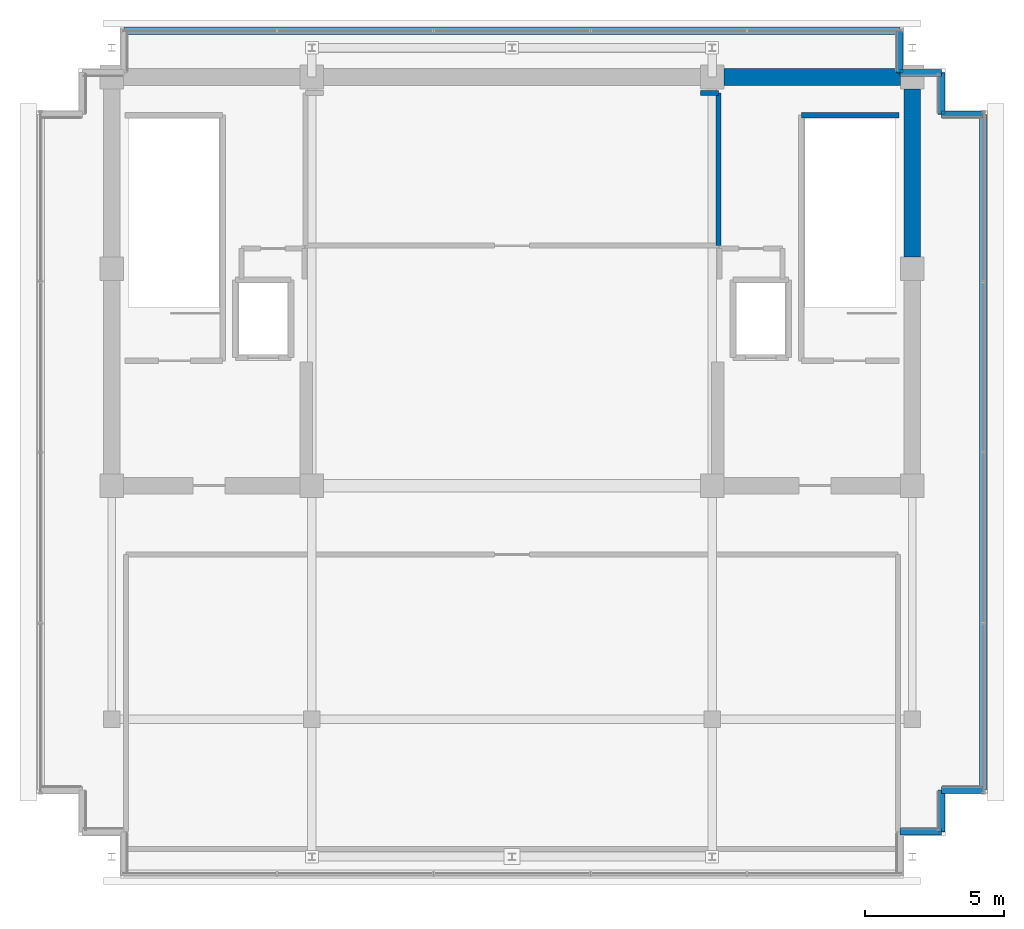
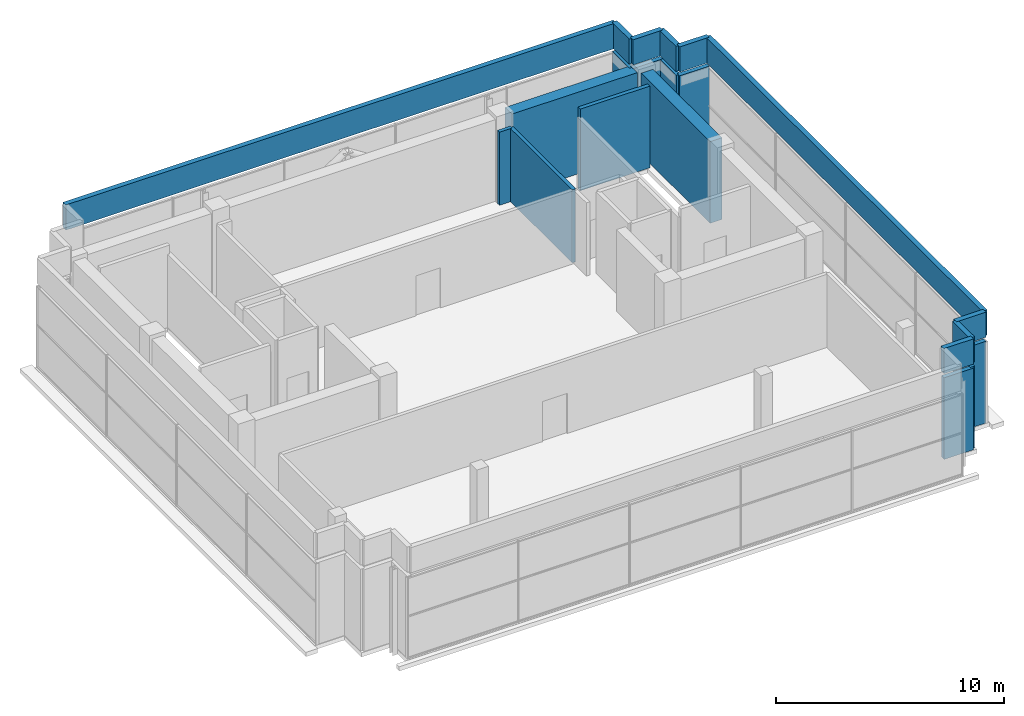
# One storey, part 21 of 22: 21 walls.
"""IFC4 building model written with IfcOpenShell, lengths in metres."""

from ifc_helpers import new_model, si_unit, direction, frame, frame_2d, origin, place, context, subcontext, project, spatial, rectangle, extrude, material, layer, layer_set, type_object, element, save


model = new_model("IFC4")

# Units and contexts
model_context = context("Model", 3, precision=1e-05, world=origin(), true_north=direction((0.0, 1.0)))
body_context = subcontext(model_context, "Body", "Model", "MODEL_VIEW")
ifc_project = project(units=[si_unit("LENGTHUNIT", "METRE"), si_unit("AREAUNIT", "SQUARE_METRE"), si_unit("VOLUMEUNIT", "CUBIC_METRE"), si_unit("PLANEANGLEUNIT", "RADIAN"), si_unit("MASSUNIT", "GRAM", prefix="KILO")], contexts=[model_context])

# Site, building, storey
site_placement = place(None, origin())
site = spatial("IfcSite", under=ifc_project, at=site_placement, CompositionType="ELEMENT")
building_placement = place(site_placement, origin())
building = spatial("IfcBuilding", under=site, at=building_placement, Name="Zarnakvel Exchange Tower", CompositionType="ELEMENT")
storey_placement = place(building_placement, frame((0.0, 0.0, 299.199951171875)))
storey = spatial("IfcBuildingStorey", under=building, at=storey_placement, Name="Crown L83", CompositionType="ELEMENT", Elevation=299.199951171875)

# Walls
ifc_material_1 = material(Name="Concrete C50/60", Category="concrete")
ifc_layer_1 = layer(ifc_material_1, 0.60009765625)
ifc_layer_set_1 = layer_set([ifc_layer_1], Name="Concrete C50/60")
wall_type_1 = type_object("IfcWallType", Name="CW-C5", PredefinedType="SHEAR", material=ifc_layer_set_1)
wall_1_placement = place(storey_placement, frame((7.625, 13.5, 0.0), z_axis=(0.0, 0.0, 1.0), x_axis=(1.0, 0.0, 0.0)))
element("IfcWall", 1, at=wall_1_placement, inside=storey, type_object=wall_type_1, Name="Crown L83 Rear Core Shear Wall N3 (CW-C5)", PredefinedType="SHEAR", context=body_context, shape_type="SweptSolid", body=[
    extrude(rectangle(XDim=6.35009765625, YDim=0.60009765625, at=frame_2d((3.175048828125, 0.0))), origin(), (0.0, 0.0, 1.0), 4.380126953125),
])
wall_2_placement = place(storey_placement, frame((14.39990234375, 7.02490234375, 0.0), z_axis=(0.0, 0.0, 1.0), x_axis=(0.0, 1.0, 0.0)))
element("IfcWall", 2, at=wall_2_placement, inside=storey, type_object=wall_type_1, Name="Crown L83 Rear Core Shear Wall E2 (CW-C5)", PredefinedType="SHEAR", context=body_context, shape_type="SweptSolid", body=[
    extrude(rectangle(XDim=6.050048828125, YDim=0.60009765625, at=frame_2d((3.02490234375, 0.0))), origin(), (0.0, 0.0, 1.0), 4.380126953125),
])
ifc_material_2 = material(Name="Precast concrete C40/50", Category="concrete")
ifc_layer_2 = layer(ifc_material_2, 0.219970703125)
ifc_layer_set_2 = layer_set([ifc_layer_2], Name="Precast concrete C40/50")
wall_type_2 = type_object("IfcWallType", Name="EW-03", PredefinedType="SOLIDWALL", material=ifc_layer_set_2)
for number, where, z_axis, x_axis, name in (
    (3, (13.9599609375, 13.659912109375, 0.0), (0.0, 0.0, 1.0), (0.0, 1.0, 0.0), "Crown L83 Exterior Precast Spandrel Wall EW-Crown L83-C07 (EW-03)"),
    (4, (15.4599609375, 13.659912109375, 0.0), (0.0, 0.0, 1.0), (-1.0, 0.0, 0.0), "Crown L83 Exterior Precast Spandrel Wall EW-Crown L83-C08 (EW-03)"),
    (5, (15.4599609375, 12.159912109375, 0.0), (0.0, 0.0, 1.0), (0.0, 1.0, 0.0), "Crown L83 Exterior Precast Spandrel Wall EW-Crown L83-C09 (EW-03)"),
    (6, (16.9599609375, 12.159912109375, 0.0), (0.0, 0.0, 1.0), (-1.0, 0.0, 0.0), "Crown L83 Exterior Precast Spandrel Wall EW-Crown L83-C10 (EW-03)"),
    (7, (15.4599609375, -12.159912109375, 0.0), (0.0, 0.0, 1.0), (1.0, 0.0, 0.0), "Crown L83 Exterior Precast Spandrel Wall EW-Crown L83-C12 (EW-03)"),
    (8, (15.4599609375, -13.659912109375, 0.0), (0.0, 0.0, 1.0), (0.0, 1.0, 0.0), "Crown L83 Exterior Precast Spandrel Wall EW-Crown L83-C13 (EW-03)"),
    (9, (13.9599609375, -13.659912109375, 0.0), (0.0, 0.0, 1.0), (1.0, 0.0, 0.0), "Crown L83 Exterior Precast Spandrel Wall EW-Crown L83-C14 (EW-03)"),
):
    element("IfcWall", number, at=place(storey_placement, frame(where, z_axis=z_axis, x_axis=x_axis)), inside=storey, type_object=wall_type_2, Name=name, PredefinedType="SOLIDWALL", context=body_context, shape_type="SweptSolid", body=[
        extrude(rectangle(XDim=1.5, YDim=0.219970703125, at=frame_2d((0.75, 0.0))), origin(), (0.0, 0.0, 1.0), 4.380126953125),
    ])
ifc_material_3 = material(Name="Fire-Rated Gypsum Stud Partition", Category="gypsum")
ifc_layer_3 = layer(ifc_material_3, 0.179931640625)
ifc_layer_set_3 = layer_set([ifc_layer_3], Name="Fire-Rated Gypsum Stud Partition")
wall_type_3 = type_object("IfcWallType", Name="PT-02", PredefinedType="PARTITIONING", material=ifc_layer_set_3)
wall_3_placement = place(storey_placement, frame((6.77490234375, 12.929931640625, 0.0), z_axis=(0.0, 0.0, 1.0), x_axis=(1.0, 0.0, 0.0)))
element("IfcWall", 10, at=wall_3_placement, inside=storey, type_object=wall_type_3, Name="Crown L83 Partition Wall PWALL-Crown L83-009 (PT-02)", PredefinedType="PARTITIONING", context=body_context, shape_type="SweptSolid", body=[
    extrude(rectangle(XDim=0.655029296875, YDim=0.179931640625, at=frame_2d((0.32763671875, 0.0))), origin(), (0.0, 0.0, 1.0), 3.920166015625),
])
wall_4_placement = place(storey_placement, frame((7.429931640625, 12.929931640625, 0.0), z_axis=(0.0, 0.0, 1.0), x_axis=(0.0, -1.0, 0.0)))
element("IfcWall", 11, at=wall_4_placement, inside=storey, type_object=wall_type_3, Name="Crown L83 Partition Wall PWALL-Crown L83-011 (PT-02)", PredefinedType="PARTITIONING", context=body_context, shape_type="SweptSolid", body=[
    extrude(rectangle(XDim=5.5, YDim=0.179931640625, at=frame_2d((2.75, 0.0))), origin(), (0.0, 0.0, 1.0), 3.920166015625),
])
ifc_layer_4 = layer(ifc_material_2, 0.25)
ifc_layer_set_4 = layer_set([ifc_layer_4], Name="Precast concrete C40/50")
wall_type_4 = type_object("IfcWallType", Name="PW-01", PredefinedType="PARAPET", material=ifc_layer_set_4)
wall_5_placement = place(storey_placement, frame((-13.949951171875, 15.14990234375, 4.60009765625), z_axis=(0.0, 0.0, 1.0), x_axis=(1.0, 0.0, 0.0)))
element("IfcWall", 12, at=wall_5_placement, inside=storey, type_object=wall_type_4, Name="Crown L83 Roof Cap Perimeter Parapet Wall #6", PredefinedType="PARAPET", context=body_context, shape_type="SweptSolid", body=[
    extrude(rectangle(XDim=27.89990234375, YDim=0.25, at=frame_2d((13.949951171875, 0.0))), origin(), (0.0, 0.0, 1.0), 1.349853515625),
])
for number, where, z_axis, x_axis, name in (
    (13, (13.949951171875, 15.14990234375, 4.60009765625), (0.0, 0.0, 1.0), (0.0, -1.0, 0.0), "Crown L83 Roof Cap Perimeter Parapet Wall #7"),
    (14, (13.949951171875, 13.64990234375, 4.60009765625), (0.0, 0.0, 1.0), (1.0, 0.0, 0.0), "Crown L83 Roof Cap Perimeter Parapet Wall #8"),
    (15, (15.449951171875, 13.64990234375, 4.60009765625), (0.0, 0.0, 1.0), (0.0, -1.0, 0.0), "Crown L83 Roof Cap Perimeter Parapet Wall #9"),
    (16, (15.449951171875, 12.14990234375, 4.60009765625), (0.0, 0.0, 1.0), (1.0, 0.0, 0.0), "Crown L83 Roof Cap Perimeter Parapet Wall #10"),
):
    element("IfcWall", number, at=place(storey_placement, frame(where, z_axis=z_axis, x_axis=x_axis)), inside=storey, type_object=wall_type_4, Name=name, PredefinedType="PARAPET", context=body_context, shape_type="SweptSolid", body=[
        extrude(rectangle(XDim=1.5, YDim=0.25, at=frame_2d((0.75, 0.0))), origin(), (0.0, 0.0, 1.0), 1.349853515625),
    ])
wall_6_placement = place(storey_placement, frame((16.949951171875, 12.14990234375, 4.60009765625), z_axis=(0.0, 0.0, 1.0), x_axis=(0.0, -1.0, 0.0)))
element("IfcWall", 17, at=wall_6_placement, inside=storey, type_object=wall_type_4, Name="Crown L83 Roof Cap Perimeter Parapet Wall #11", PredefinedType="PARAPET", context=body_context, shape_type="SweptSolid", body=[
    extrude(rectangle(XDim=24.2998046875, YDim=0.25, at=frame_2d((12.14990234375, 0.0))), origin(), (0.0, 0.0, 1.0), 1.349853515625),
])
for number, where, z_axis, x_axis, name in (
    (18, (16.949951171875, -12.14990234375, 4.60009765625), (0.0, 0.0, 1.0), (-1.0, 0.0, 0.0), "Crown L83 Roof Cap Perimeter Parapet Wall #12"),
    (19, (15.449951171875, -12.14990234375, 4.60009765625), (0.0, 0.0, 1.0), (0.0, -1.0, 0.0), "Crown L83 Roof Cap Perimeter Parapet Wall #13"),
    (20, (15.449951171875, -13.64990234375, 4.60009765625), (0.0, 0.0, 1.0), (-1.0, 0.0, 0.0), "Crown L83 Roof Cap Perimeter Parapet Wall #14"),
):
    element("IfcWall", number, at=place(storey_placement, frame(where, z_axis=z_axis, x_axis=x_axis)), inside=storey, type_object=wall_type_4, Name=name, PredefinedType="PARAPET", context=body_context, shape_type="SweptSolid", body=[
        extrude(rectangle(XDim=1.5, YDim=0.25, at=frame_2d((0.75, 0.0))), origin(), (0.0, 0.0, 1.0), 1.349853515625),
    ])
ifc_material_4 = material(Name="Concrete C40/50", Category="concrete")
ifc_layer_5 = layer(ifc_material_4, 0.199951171875)
ifc_layer_set_5 = layer_set([ifc_layer_5], Name="Concrete C40/50")
wall_type_5 = type_object("IfcWallType", Name="SW-02", PredefinedType="SOLIDWALL", material=ifc_layer_set_5)
wall_7_placement = place(storey_placement, frame((10.409912109375, 12.1298828125, 0.0), z_axis=(0.0, 0.0, 1.0), x_axis=(1.0, 0.0, 0.0)))
element("IfcWall", 21, at=wall_7_placement, inside=storey, type_object=wall_type_5, Name="Crown L83 Stairwell Core Wall PWALL-Crown L83-005 (SW-02)", PredefinedType="SOLIDWALL", context=body_context, shape_type="SweptSolid", body=[
    extrude(rectangle(XDim=3.52001953125, YDim=0.199951171875, at=frame_2d((1.760009765625, 0.0))), origin(), (0.0, 0.0, 1.0), 4.380126953125),
])

save(model, "model.ifc")
